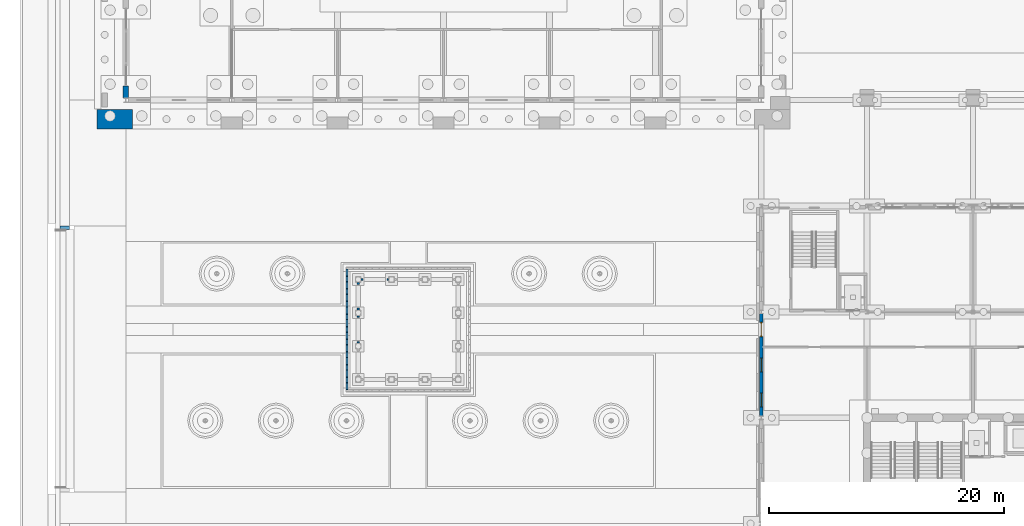
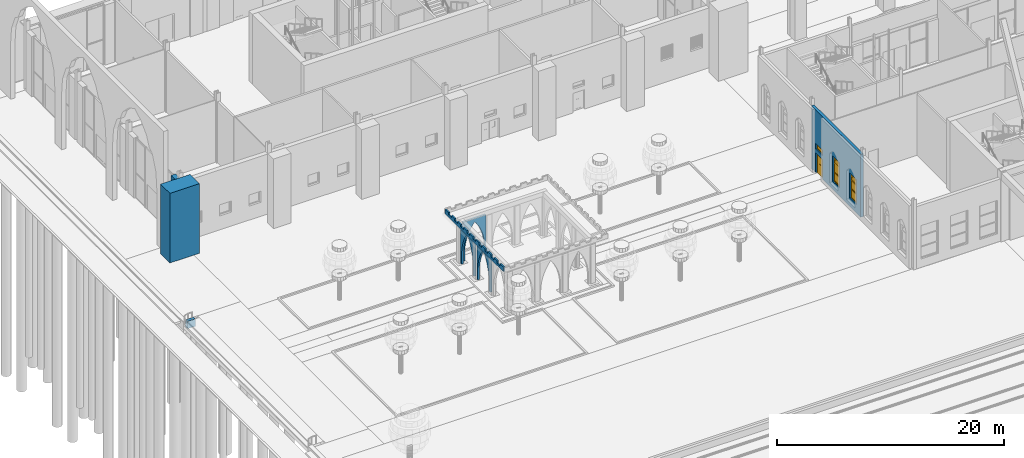
# One storey, part 101 of 250: 8 walls, 3 windows, 1 door, 4 openings.
"""IFC4 building model written with IfcOpenShell, lengths in metres."""

from ifc_helpers import new_model, si_unit, direction, frame, frame_2d, origin, place, context, subcontext, project, spatial, polyline, rectangle, outline, extrude, material, layer, layer_set, type_object, element, fill, save


model = new_model("IFC4")

# Units and contexts
model_context = context("Model", 3, precision=1e-05, world=origin(), true_north=direction((0.0, 1.0)))
body_context = subcontext(model_context, "Body", "Model", "MODEL_VIEW")
ifc_project = project(units=[si_unit("LENGTHUNIT", "METRE"), si_unit("AREAUNIT", "SQUARE_METRE"), si_unit("VOLUMEUNIT", "CUBIC_METRE"), si_unit("PLANEANGLEUNIT", "RADIAN"), si_unit("MASSUNIT", "GRAM", prefix="KILO")], contexts=[model_context])

# Site, building, storey
site_placement = place(None, origin())
site = spatial("IfcSite", under=ifc_project, at=site_placement, CompositionType="ELEMENT")
building_placement = place(site_placement, origin())
building = spatial("IfcBuilding", under=site, at=building_placement, Name="Baradari Gate Terminus", CompositionType="ELEMENT")
storey_placement = place(building_placement, origin())
storey = spatial("IfcBuildingStorey", under=building, at=storey_placement, Name="L00", CompositionType="ELEMENT", Elevation=0.0)

# Walls
ifc_material_1 = material(Name="Precast concrete C40/50", Category="concrete")
ifc_layer_1 = layer(ifc_material_1, 0.199951171875)
ifc_layer_set_1 = layer_set([ifc_layer_1], Name="Precast concrete C40/50")
wall_type_1 = type_object("IfcWallType", Name="Court pavilion arched spandrel wall CPA-1 200", PredefinedType="SOLIDWALL", material=ifc_layer_set_1)
for number, where, z_axis, x_axis, name in (
    (1, (31.333251953125, 101.75, 0.14990234375), (0.0, 0.0, 1.0), (-1.0, 0.0, 0.0), "Court pavilion arched wall 9"),
    (2, (28.75, 101.5, 0.14990234375), (0.0, 0.0, 1.0), (0.0, -1.0, 0.0), "Court pavilion arched wall 10"),
    (3, (28.75, 98.666748046875, 0.14990234375), (0.0, 0.0, 1.0), (0.0, -1.0, 0.0), "Court pavilion arched wall 11"),
):
    element("IfcWall", number, at=place(storey_placement, frame(where, z_axis=z_axis, x_axis=x_axis)), inside=storey, type_object=wall_type_1, Name=name, PredefinedType="SOLIDWALL", context=body_context, shape_type="SweptSolid", body=[
        extrude(outline(polyline([(0.14990234375, 0.0), (0.14990234375, 0.900146484375), (0.1572265625, 1.164794921875), (0.17919921875, 1.4287109375), (0.2158203125, 1.69091796875), (0.2666015625, 1.950927734375), (0.33203125, 2.20751953125), (0.411376953125, 2.460205078125), (0.50439453125, 2.7080078125), (0.611083984375, 2.950439453125), (0.731201171875, 3.1865234375), (0.864013671875, 3.415771484375), (1.00927734375, 3.63720703125), (1.166748046875, 3.85009765625), (1.323974609375, 3.63720703125), (1.46923828125, 3.415771484375), (1.60205078125, 3.1865234375), (1.72216796875, 2.950439453125), (1.828857421875, 2.7080078125), (1.922119140625, 2.460205078125), (2.00146484375, 2.20751953125), (2.066650390625, 1.950927734375), (2.11767578125, 1.69091796875), (2.154052734375, 1.4287109375), (2.176025390625, 1.164794921875), (2.183349609375, 0.900146484375), (2.183349609375, 0.0), (2.333251953125, 0.0), (2.333251953125, 4.2001953125), (0.0, 4.2001953125), (0.0, 0.0), (0.14990234375, 0.0)])), frame((0.0, 0.10009765625, 0.0), z_axis=(0.0, -1.0, 0.0), x_axis=(1.0, 0.0, 0.0)), (0.0, 0.0, 1.0), 0.199951171875),
    ])
ifc_material_2 = material(Name="Precast concrete C40/50", Category="concrete")
ifc_layer_2 = layer(ifc_material_2, 0.14990234375)
ifc_layer_set_2 = layer_set([ifc_layer_2], Name="Precast concrete C40/50")
wall_type_2 = type_object("IfcWallType", Name="Court pavilion merlon upstand CPU-1 150", PredefinedType="SOLIDWALL", material=ifc_layer_set_2)
wall_1_placement = place(storey_placement, frame((27.794921875, 102.6298828125, 5.10009765625), z_axis=(0.0, 0.0, 1.0), x_axis=(0.0, -1.0, 0.0)))
element("IfcWall", 4, at=wall_1_placement, inside=storey, type_object=wall_type_2, Name="Court pavilion merlon upstand 4", PredefinedType="SOLIDWALL", context=body_context, shape_type="SweptSolid", body=[
    extrude(outline(polyline([(0.0, 0.0), (10.260009765625, 0.0), (10.260009765625, 0.5), (9.659912109375, 0.5), (9.659912109375, 0.25), (9.186767578125, 0.25), (9.186767578125, 0.5), (8.586669921875, 0.5), (8.586669921875, 0.25), (8.11328125, 0.25), (8.11328125, 0.5), (7.51318359375, 0.5), (7.51318359375, 0.25), (7.0400390625, 0.25), (7.0400390625, 0.5), (6.43994140625, 0.5), (6.43994140625, 0.25), (5.966796875, 0.25), (5.966796875, 0.5), (5.36669921875, 0.5), (5.36669921875, 0.25), (4.893310546875, 0.25), (4.893310546875, 0.5), (4.293212890625, 0.5), (4.293212890625, 0.25), (3.820068359375, 0.25), (3.820068359375, 0.5), (3.219970703125, 0.5), (3.219970703125, 0.25), (2.74658203125, 0.25), (2.74658203125, 0.5), (2.146728515625, 0.5), (2.146728515625, 0.25), (1.67333984375, 0.25), (1.67333984375, 0.5), (1.0732421875, 0.5), (1.0732421875, 0.25), (0.60009765625, 0.25), (0.60009765625, 0.5), (0.0, 0.5), (0.0, 0.0)])), frame((0.0, 0.074951171875, 0.0), z_axis=(0.0, -1.0, 0.0), x_axis=(1.0, 0.0, 0.0)), (0.0, 0.0, 1.0), 0.14990234375),
])

# Wall, openings, windows, door
ifc_material_3 = material(Name="Concrete C40/50 precast", Category="concrete")
ifc_layer_3 = layer(ifc_material_3, 0.23)
ifc_material_4 = material(Name="Reconstituted stone", Category="masonry")
ifc_layer_4 = layer(ifc_material_4, 0.05)
ifc_layer_set_3 = layer_set([ifc_layer_3, ifc_layer_4], Name="Concrete C40/50 precast")
wall_type_3 = type_object("IfcWallType", Name="End wall WE-1 280", PredefinedType="SOLIDWALL", material=ifc_layer_set_3)
wall_2_placement = place(storey_placement, frame((63.0, 90.1572265625, 0.0), z_axis=(0.0, 0.0, 1.0), x_axis=(0.0, 1.0, 0.0)))
wall_2 = element("IfcWall", 5, at=wall_2_placement, inside=storey, type_object=wall_type_3, Name="court end HW bay 11 L00", PredefinedType="SOLIDWALL", context=body_context, shape_type="SweptSolid", body=[
    extrude(rectangle(XDim=8.685546875, YDim=0.280029296875, at=frame_2d((4.3427734375, 0.0))), origin(), (0.0, 0.0, 1.0), 6.767333984375),
])
opening_1_placement = place(wall_2_placement, frame((6.74267578125, 0.0, 0.0)))
opening_1 = element("IfcOpeningElement", 6, at=opening_1_placement, cuts=wall_2, Name="Opening D00-012", PredefinedType="OPENING", context=body_context, shape_type="SweptSolid", body=[
    extrude(rectangle(XDim=1.199951171875, YDim=2.10009765625, at=frame_2d((0.60009765625, 1.050048828125))), frame((0.0, 0.14990234375, 0.0), z_axis=(0.0, -1.0, 0.0), x_axis=(1.0, 0.0, 0.0)), (0.0, 0.0, 1.0), 0.300048828125),
])
opening_2_placement = place(wall_2_placement, frame((6.74267578125, 0.0, 2.550048828125)))
opening_2 = element("IfcOpeningElement", 7, at=opening_2_placement, cuts=wall_2, Name="Opening W10", PredefinedType="OPENING", context=body_context, shape_type="SweptSolid", body=[
    extrude(rectangle(XDim=1.199951171875, YDim=0.60009765625, at=frame_2d((0.60009765625, 0.300048828125))), frame((0.0, 0.14990234375, 0.0), z_axis=(0.0, -1.0, 0.0), x_axis=(1.0, 0.0, 0.0)), (0.0, 0.0, 1.0), 0.300048828125),
])
opening_3_placement = place(wall_2_placement, frame((0.74267578125, 0.0, 0.89990234375)))
opening_3 = element("IfcOpeningElement", 8, at=opening_3_placement, cuts=wall_2, Name="Opening W7", PredefinedType="OPENING", context=body_context, shape_type="SweptSolid", body=[
    extrude(rectangle(XDim=1.199951171875, YDim=2.699951171875, at=frame_2d((0.60009765625, 1.35009765625))), frame((0.0, 0.14990234375, 0.0), z_axis=(0.0, -1.0, 0.0), x_axis=(1.0, 0.0, 0.0)), (0.0, 0.0, 1.0), 0.300048828125),
])
opening_4_placement = place(wall_2_placement, frame((3.74267578125, 0.0, 0.89990234375)))
opening_4 = element("IfcOpeningElement", 9, at=opening_4_placement, cuts=wall_2, Name="Opening W7", PredefinedType="OPENING", context=body_context, shape_type="SweptSolid", body=[
    extrude(rectangle(XDim=1.199951171875, YDim=2.699951171875, at=frame_2d((0.60009765625, 1.35009765625))), frame((0.0, 0.14990234375, 0.0), z_axis=(0.0, -1.0, 0.0), x_axis=(1.0, 0.0, 0.0)), (0.0, 0.0, 1.0), 0.300048828125),
])
ifc_material_5 = material(Name="Aluminium 6063-T6", Category="aluminium")
window_type_1 = type_object("IfcWindowType", Name="Door fanlight W10 1200x600", PartitioningType="SINGLE_PANEL", PredefinedType="WINDOW", material=ifc_material_5)
window_1_placement = place(opening_2_placement, origin())
window_1 = element("IfcWindow", 10, at=window_1_placement, inside=storey, type_object=window_type_1, Name="Fanlight over Corridor (Service Corridor West)", OverallHeight=0.6, OverallWidth=1.2, PartitioningType="SINGLE_PANEL", PredefinedType="WINDOW", context=body_context, shape_type="SweptSolid", body=[
    extrude(outline(polyline([(0.0, 0.0), (1.199951171875, 0.0), (1.199951171875, 0.60009765625), (0.0, 0.60009765625), (0.0, 0.0)]), holes=[polyline([(0.070068359375, 0.070068359375), (1.1298828125, 0.070068359375), (1.1298828125, 0.530029296875), (0.070068359375, 0.530029296875), (0.070068359375, 0.070068359375)])]), frame((0.0, 0.030029296875, 0.0), z_axis=(0.0, -1.0, 0.0), x_axis=(1.0, 0.0, 0.0)), (0.0, 0.0, 1.0), 0.06005859375),
    extrude(outline(polyline([(0.070068359375, 0.070068359375), (1.1298828125, 0.070068359375), (1.1298828125, 0.530029296875), (0.070068359375, 0.530029296875), (0.070068359375, 0.070068359375)]), holes=[polyline([(0.10009765625, 0.10009765625), (1.099853515625, 0.10009765625), (1.099853515625, 0.5), (0.10009765625, 0.5), (0.10009765625, 0.10009765625)])]), frame((0.0, 0.0224609375, 0.0), z_axis=(0.0, -1.0, 0.0), x_axis=(1.0, 0.0, 0.0)), (0.0, 0.0, 1.0), 0.044921875),
    extrude(rectangle(XDim=0.999755859375, YDim=0.39990234375, at=frame_2d((0.60009765625, 0.300048828125))), frame((0.0, 0.006103515625, 0.0), z_axis=(0.0, -1.0, 0.0), x_axis=(1.0, 0.0, 0.0)), (0.0, 0.0, 1.0), 0.01220703125),
])
fill(opening_2, window_1)
ifc_material_6 = material(Name="Steel S235", Category="steel")
door_type = type_object("IfcDoorType", Name="Fire door, steel DT-9 1200x2100", OperationType="SINGLE_SWING_RIGHT", PredefinedType="DOOR", material=ifc_material_6)
door_placement = place(opening_1_placement, origin())
door = element("IfcDoor", 11, at=door_placement, inside=storey, type_object=door_type, Name="Exit door Corridor (Service Corridor West)", OperationType="SINGLE_SWING_RIGHT", OverallHeight=2.1, OverallWidth=1.2, PredefinedType="DOOR", context=body_context, shape_type="SweptSolid", body=[
    extrude(outline(polyline([(0.0, 0.0), (0.070068359375, 0.0), (0.070068359375, 2.030029296875), (1.1298828125, 2.030029296875), (1.1298828125, 0.0), (1.199951171875, 0.0), (1.199951171875, 2.10009765625), (0.0, 2.10009765625), (0.0, 0.0)])), frame((0.0, 0.02490234375, 0.0), z_axis=(0.0, -1.0, 0.0), x_axis=(1.0, 0.0, 0.0)), (0.0, 0.0, 1.0), 0.050048828125),
    extrude(outline(polyline([(0.073974609375, 0.010009765625), (1.1259765625, 0.010009765625), (1.1259765625, 2.026123046875), (0.073974609375, 2.026123046875), (0.073974609375, 0.010009765625)]), holes=[polyline([(0.194091796875, 0.159912109375), (1.005859375, 0.159912109375), (1.005859375, 1.010009765625), (0.194091796875, 1.010009765625), (0.194091796875, 0.159912109375)]), polyline([(0.449951171875, 1.159912109375), (0.75, 1.159912109375), (0.75, 1.760009765625), (0.449951171875, 1.760009765625), (0.449951171875, 1.159912109375)])]), frame((0.0, 0.017333984375, 0.0), z_axis=(0.0, -1.0, 0.0), x_axis=(1.0, 0.0, 0.0)), (0.0, 0.0, 1.0), 0.034912109375),
    extrude(rectangle(XDim=0.811767578125, YDim=0.85009765625, at=frame_2d((0.60009765625, 0.5849609375))), frame((0.0, 0.008544921875, 0.0), z_axis=(0.0, -1.0, 0.0), x_axis=(1.0, 0.0, 0.0)), (0.0, 0.0, 1.0), 0.017333984375),
    extrude(rectangle(XDim=0.300048828125, YDim=0.60009765625, at=frame_2d((0.60009765625, 1.4599609375))), frame((0.0, 0.005859375, 0.0), z_axis=(0.0, -1.0, 0.0), x_axis=(1.0, 0.0, 0.0)), (0.0, 0.0, 1.0), 0.011962890625),
])
fill(opening_1, door)
ifc_material_7 = material(Name="Aluminium 6063-T6", Category="aluminium")
window_type_2 = type_object("IfcWindowType", Name="Service block window W7 1200x2700", PartitioningType="DOUBLE_PANEL_HORIZONTAL", PredefinedType="WINDOW", material=ifc_material_7)
window_2_placement = place(opening_3_placement, origin())
window_2 = element("IfcWindow", 12, at=window_2_placement, inside=storey, type_object=window_type_2, Name="Window W7 HW/10", OverallHeight=2.7, OverallWidth=1.2, PartitioningType="DOUBLE_PANEL_HORIZONTAL", PredefinedType="WINDOW", context=body_context, shape_type="SweptSolid", body=[
    extrude(outline(polyline([(0.0, 0.0), (1.199951171875, 0.0), (1.199951171875, 1.969970703125), (1.195068359375, 2.05517578125), (1.180419921875, 2.13916015625), (1.15625, 2.220947265625), (1.123046875, 2.29931640625), (1.0810546875, 2.37353515625), (1.03076171875, 2.4423828125), (0.972900390625, 2.505126953125), (0.908203125, 2.560791015625), (0.837646484375, 2.608642578125), (0.76220703125, 2.648193359375), (0.6826171875, 2.6787109375), (0.599853515625, 2.699951171875), (0.517333984375, 2.6787109375), (0.437744140625, 2.648193359375), (0.3623046875, 2.608642578125), (0.291748046875, 2.560791015625), (0.22705078125, 2.505126953125), (0.169189453125, 2.4423828125), (0.118896484375, 2.37353515625), (0.076904296875, 2.29931640625), (0.043701171875, 2.220947265625), (0.01953125, 2.13916015625), (0.0048828125, 2.05517578125), (0.0, 1.969970703125), (0.0, 0.0)]), holes=[polyline([(0.070068359375, 0.070068359375), (1.1298828125, 0.070068359375), (1.1298828125, 1.969970703125), (1.12548828125, 2.0458984375), (1.11279296875, 2.12109375), (1.091552734375, 2.1943359375), (1.062255859375, 2.2646484375), (1.025390625, 2.3310546875), (0.98095703125, 2.39306640625), (0.929931640625, 2.44970703125), (0.873046875, 2.500244140625), (0.810791015625, 2.5439453125), (0.743896484375, 2.58056640625), (0.67333984375, 2.609375), (0.60009765625, 2.6298828125), (0.526611328125, 2.609375), (0.4560546875, 2.58056640625), (0.38916015625, 2.5439453125), (0.326904296875, 2.500244140625), (0.27001953125, 2.44970703125), (0.218994140625, 2.39306640625), (0.174560546875, 2.3310546875), (0.1376953125, 2.2646484375), (0.1083984375, 2.1943359375), (0.087158203125, 2.12109375), (0.074462890625, 2.0458984375), (0.070068359375, 1.969970703125), (0.070068359375, 0.070068359375)])]), frame((0.0, 0.030029296875, 0.0), z_axis=(0.0, -1.0, 0.0), x_axis=(1.0, 0.0, 0.0)), (0.0, 0.0, 1.0), 0.06005859375),
    extrude(outline(polyline([(0.0, 1.969970703125), (0.0048828125, 2.05517578125), (0.01953125, 2.13916015625), (0.043701171875, 2.220947265625), (0.076904296875, 2.29931640625), (0.118896484375, 2.37353515625), (0.169189453125, 2.4423828125), (0.22705078125, 2.505126953125), (0.291748046875, 2.560791015625), (0.3623046875, 2.608642578125), (0.437744140625, 2.648193359375), (0.517333984375, 2.6787109375), (0.599853515625, 2.699951171875), (0.0, 2.699951171875), (0.0, 1.969970703125)])), frame((0.0, 0.028076171875, 0.0), z_axis=(0.0, -1.0, 0.0), x_axis=(1.0, 0.0, 0.0)), (0.0, 0.0, 1.0), 0.05615234375),
    extrude(outline(polyline([(0.599853515625, 2.699951171875), (0.6826171875, 2.6787109375), (0.76220703125, 2.648193359375), (0.837646484375, 2.608642578125), (0.908203125, 2.560791015625), (0.972900390625, 2.505126953125), (1.03076171875, 2.4423828125), (1.0810546875, 2.37353515625), (1.123046875, 2.29931640625), (1.15625, 2.220947265625), (1.180419921875, 2.13916015625), (1.195068359375, 2.05517578125), (1.199951171875, 1.969970703125), (1.199951171875, 2.699951171875), (0.599853515625, 2.699951171875)])), frame((0.0, 0.027099609375, 0.0), z_axis=(0.0, -1.0, 0.0), x_axis=(1.0, 0.0, 0.0)), (0.0, 0.0, 1.0), 0.05419921875),
    extrude(outline(polyline([(1.127685546875, 2.010009765625), (0.072265625, 2.010009765625), (0.070068359375, 1.969970703125), (0.070068359375, 1.929931640625), (1.1298828125, 1.929931640625), (1.1298828125, 1.969970703125), (1.127685546875, 2.010009765625)])), frame((0.0, 0.02099609375, 0.0), z_axis=(0.0, -1.0, 0.0), x_axis=(1.0, 0.0, 0.0)), (0.0, 0.0, 1.0), 0.0419921875),
    extrude(rectangle(XDim=1.059814453125, YDim=0.0400390625, at=frame_2d((0.60009765625, 1.0))), frame((0.0, 0.021484375, 0.0), z_axis=(0.0, -1.0, 0.0), x_axis=(1.0, 0.0, 0.0)), (0.0, 0.0, 1.0), 0.04296875),
    extrude(outline(polyline([(0.070068359375, 0.070068359375), (1.1298828125, 0.070068359375), (1.1298828125, 0.97998046875), (0.070068359375, 0.97998046875), (0.070068359375, 0.070068359375)]), holes=[polyline([(0.10009765625, 0.10009765625), (1.099853515625, 0.10009765625), (1.099853515625, 0.949951171875), (0.10009765625, 0.949951171875), (0.10009765625, 0.10009765625)])]), frame((0.0, 0.0224609375, 0.0), z_axis=(0.0, -1.0, 0.0), x_axis=(1.0, 0.0, 0.0)), (0.0, 0.0, 1.0), 0.044921875),
    extrude(rectangle(XDim=0.999755859375, YDim=0.849853515625, at=frame_2d((0.60009765625, 0.52490234375))), frame((0.0, 0.006103515625, 0.0), z_axis=(0.0, -1.0, 0.0), x_axis=(1.0, 0.0, 0.0)), (0.0, 0.0, 1.0), 0.01220703125),
    extrude(outline(polyline([(0.070068359375, 1.02001953125), (1.1298828125, 1.02001953125), (1.1298828125, 1.929931640625), (0.070068359375, 1.929931640625), (0.070068359375, 1.02001953125)]), holes=[polyline([(0.10009765625, 1.050048828125), (1.099853515625, 1.050048828125), (1.099853515625, 1.89990234375), (0.10009765625, 1.89990234375), (0.10009765625, 1.050048828125)])]), frame((0.0, 0.0224609375, 0.0), z_axis=(0.0, -1.0, 0.0), x_axis=(1.0, 0.0, 0.0)), (0.0, 0.0, 1.0), 0.044921875),
    extrude(rectangle(XDim=0.999755859375, YDim=0.849853515625, at=frame_2d((0.60009765625, 1.47509765625))), frame((0.0, 0.006103515625, 0.0), z_axis=(0.0, -1.0, 0.0), x_axis=(1.0, 0.0, 0.0)), (0.0, 0.0, 1.0), 0.01220703125),
    extrude(outline(polyline([(0.072265625, 2.010009765625), (1.127685546875, 2.010009765625), (1.12548828125, 2.0458984375), (1.11279296875, 2.12109375), (1.091552734375, 2.1943359375), (1.062255859375, 2.2646484375), (1.025390625, 2.3310546875), (0.98095703125, 2.39306640625), (0.929931640625, 2.44970703125), (0.873046875, 2.500244140625), (0.810791015625, 2.5439453125), (0.743896484375, 2.58056640625), (0.67333984375, 2.609375), (0.60009765625, 2.6298828125), (0.526611328125, 2.609375), (0.4560546875, 2.58056640625), (0.38916015625, 2.5439453125), (0.326904296875, 2.500244140625), (0.27001953125, 2.44970703125), (0.218994140625, 2.39306640625), (0.174560546875, 2.3310546875), (0.1376953125, 2.2646484375), (0.1083984375, 2.1943359375), (0.087158203125, 2.12109375), (0.074462890625, 2.0458984375), (0.072265625, 2.010009765625)]), holes=[polyline([(0.10986328125, 2.044921875), (0.121337890625, 2.11328125), (0.141357421875, 2.1826171875), (0.169189453125, 2.249267578125), (0.2041015625, 2.312255859375), (0.246337890625, 2.37109375), (0.294677734375, 2.4248046875), (0.3486328125, 2.47265625), (0.40771484375, 2.51416015625), (0.47119140625, 2.548828125), (0.5380859375, 2.576171875), (0.60009765625, 2.593505859375), (0.661865234375, 2.576171875), (0.728759765625, 2.548828125), (0.792236328125, 2.51416015625), (0.851318359375, 2.47265625), (0.9052734375, 2.4248046875), (0.95361328125, 2.37109375), (0.995849609375, 2.312255859375), (1.03076171875, 2.249267578125), (1.05859375, 2.1826171875), (1.07861328125, 2.11328125), (1.090087890625, 2.044921875), (0.10986328125, 2.044921875)])]), frame((0.0, 0.0224609375, 0.0), z_axis=(0.0, -1.0, 0.0), x_axis=(1.0, 0.0, 0.0)), (0.0, 0.0, 1.0), 0.044921875),
    extrude(outline(polyline([(1.090087890625, 2.044921875), (1.07861328125, 2.11328125), (1.05859375, 2.1826171875), (1.03076171875, 2.249267578125), (0.995849609375, 2.312255859375), (0.95361328125, 2.37109375), (0.9052734375, 2.4248046875), (0.851318359375, 2.47265625), (0.792236328125, 2.51416015625), (0.728759765625, 2.548828125), (0.661865234375, 2.576171875), (0.60009765625, 2.593505859375), (0.5380859375, 2.576171875), (0.47119140625, 2.548828125), (0.40771484375, 2.51416015625), (0.3486328125, 2.47265625), (0.294677734375, 2.4248046875), (0.246337890625, 2.37109375), (0.2041015625, 2.312255859375), (0.169189453125, 2.249267578125), (0.141357421875, 2.1826171875), (0.121337890625, 2.11328125), (0.10986328125, 2.044921875), (1.090087890625, 2.044921875)])), frame((0.0, 0.006103515625, 0.0), z_axis=(0.0, -1.0, 0.0), x_axis=(1.0, 0.0, 0.0)), (0.0, 0.0, 1.0), 0.01220703125),
])
fill(opening_3, window_2)
window_3_placement = place(opening_4_placement, origin())
window_3 = element("IfcWindow", 13, at=window_3_placement, inside=storey, type_object=window_type_2, Name="Window W7 HW/10", OverallHeight=2.7, OverallWidth=1.2, PartitioningType="DOUBLE_PANEL_HORIZONTAL", PredefinedType="WINDOW", context=body_context, shape_type="SweptSolid", body=[
    extrude(outline(polyline([(0.0, 0.0), (1.199951171875, 0.0), (1.199951171875, 1.969970703125), (1.195068359375, 2.05517578125), (1.180419921875, 2.13916015625), (1.15625, 2.220947265625), (1.123046875, 2.29931640625), (1.0810546875, 2.37353515625), (1.03076171875, 2.4423828125), (0.972900390625, 2.505126953125), (0.908203125, 2.560791015625), (0.837646484375, 2.608642578125), (0.76220703125, 2.648193359375), (0.6826171875, 2.6787109375), (0.599853515625, 2.699951171875), (0.517333984375, 2.6787109375), (0.437744140625, 2.648193359375), (0.3623046875, 2.608642578125), (0.291748046875, 2.560791015625), (0.22705078125, 2.505126953125), (0.169189453125, 2.4423828125), (0.118896484375, 2.37353515625), (0.076904296875, 2.29931640625), (0.043701171875, 2.220947265625), (0.01953125, 2.13916015625), (0.0048828125, 2.05517578125), (0.0, 1.969970703125), (0.0, 0.0)]), holes=[polyline([(0.070068359375, 0.070068359375), (1.1298828125, 0.070068359375), (1.1298828125, 1.969970703125), (1.12548828125, 2.0458984375), (1.11279296875, 2.12109375), (1.091552734375, 2.1943359375), (1.062255859375, 2.2646484375), (1.025390625, 2.3310546875), (0.98095703125, 2.39306640625), (0.929931640625, 2.44970703125), (0.873046875, 2.500244140625), (0.810791015625, 2.5439453125), (0.743896484375, 2.58056640625), (0.67333984375, 2.609375), (0.60009765625, 2.6298828125), (0.526611328125, 2.609375), (0.4560546875, 2.58056640625), (0.38916015625, 2.5439453125), (0.326904296875, 2.500244140625), (0.27001953125, 2.44970703125), (0.218994140625, 2.39306640625), (0.174560546875, 2.3310546875), (0.1376953125, 2.2646484375), (0.1083984375, 2.1943359375), (0.087158203125, 2.12109375), (0.074462890625, 2.0458984375), (0.070068359375, 1.969970703125), (0.070068359375, 0.070068359375)])]), frame((0.0, 0.030029296875, 0.0), z_axis=(0.0, -1.0, 0.0), x_axis=(1.0, 0.0, 0.0)), (0.0, 0.0, 1.0), 0.06005859375),
    extrude(outline(polyline([(0.0, 1.969970703125), (0.0048828125, 2.05517578125), (0.01953125, 2.13916015625), (0.043701171875, 2.220947265625), (0.076904296875, 2.29931640625), (0.118896484375, 2.37353515625), (0.169189453125, 2.4423828125), (0.22705078125, 2.505126953125), (0.291748046875, 2.560791015625), (0.3623046875, 2.608642578125), (0.437744140625, 2.648193359375), (0.517333984375, 2.6787109375), (0.599853515625, 2.699951171875), (0.0, 2.699951171875), (0.0, 1.969970703125)])), frame((0.0, 0.028076171875, 0.0), z_axis=(0.0, -1.0, 0.0), x_axis=(1.0, 0.0, 0.0)), (0.0, 0.0, 1.0), 0.05615234375),
    extrude(outline(polyline([(0.599853515625, 2.699951171875), (0.6826171875, 2.6787109375), (0.76220703125, 2.648193359375), (0.837646484375, 2.608642578125), (0.908203125, 2.560791015625), (0.972900390625, 2.505126953125), (1.03076171875, 2.4423828125), (1.0810546875, 2.37353515625), (1.123046875, 2.29931640625), (1.15625, 2.220947265625), (1.180419921875, 2.13916015625), (1.195068359375, 2.05517578125), (1.199951171875, 1.969970703125), (1.199951171875, 2.699951171875), (0.599853515625, 2.699951171875)])), frame((0.0, 0.027099609375, 0.0), z_axis=(0.0, -1.0, 0.0), x_axis=(1.0, 0.0, 0.0)), (0.0, 0.0, 1.0), 0.05419921875),
    extrude(outline(polyline([(1.127685546875, 2.010009765625), (0.072265625, 2.010009765625), (0.070068359375, 1.969970703125), (0.070068359375, 1.929931640625), (1.1298828125, 1.929931640625), (1.1298828125, 1.969970703125), (1.127685546875, 2.010009765625)])), frame((0.0, 0.02099609375, 0.0), z_axis=(0.0, -1.0, 0.0), x_axis=(1.0, 0.0, 0.0)), (0.0, 0.0, 1.0), 0.0419921875),
    extrude(rectangle(XDim=1.059814453125, YDim=0.0400390625, at=frame_2d((0.60009765625, 1.0))), frame((0.0, 0.021484375, 0.0), z_axis=(0.0, -1.0, 0.0), x_axis=(1.0, 0.0, 0.0)), (0.0, 0.0, 1.0), 0.04296875),
    extrude(outline(polyline([(0.070068359375, 0.070068359375), (1.1298828125, 0.070068359375), (1.1298828125, 0.97998046875), (0.070068359375, 0.97998046875), (0.070068359375, 0.070068359375)]), holes=[polyline([(0.10009765625, 0.10009765625), (1.099853515625, 0.10009765625), (1.099853515625, 0.949951171875), (0.10009765625, 0.949951171875), (0.10009765625, 0.10009765625)])]), frame((0.0, 0.0224609375, 0.0), z_axis=(0.0, -1.0, 0.0), x_axis=(1.0, 0.0, 0.0)), (0.0, 0.0, 1.0), 0.044921875),
    extrude(rectangle(XDim=0.999755859375, YDim=0.849853515625, at=frame_2d((0.60009765625, 0.52490234375))), frame((0.0, 0.006103515625, 0.0), z_axis=(0.0, -1.0, 0.0), x_axis=(1.0, 0.0, 0.0)), (0.0, 0.0, 1.0), 0.01220703125),
    extrude(outline(polyline([(0.070068359375, 1.02001953125), (1.1298828125, 1.02001953125), (1.1298828125, 1.929931640625), (0.070068359375, 1.929931640625), (0.070068359375, 1.02001953125)]), holes=[polyline([(0.10009765625, 1.050048828125), (1.099853515625, 1.050048828125), (1.099853515625, 1.89990234375), (0.10009765625, 1.89990234375), (0.10009765625, 1.050048828125)])]), frame((0.0, 0.0224609375, 0.0), z_axis=(0.0, -1.0, 0.0), x_axis=(1.0, 0.0, 0.0)), (0.0, 0.0, 1.0), 0.044921875),
    extrude(rectangle(XDim=0.999755859375, YDim=0.849853515625, at=frame_2d((0.60009765625, 1.47509765625))), frame((0.0, 0.006103515625, 0.0), z_axis=(0.0, -1.0, 0.0), x_axis=(1.0, 0.0, 0.0)), (0.0, 0.0, 1.0), 0.01220703125),
    extrude(outline(polyline([(0.072265625, 2.010009765625), (1.127685546875, 2.010009765625), (1.12548828125, 2.0458984375), (1.11279296875, 2.12109375), (1.091552734375, 2.1943359375), (1.062255859375, 2.2646484375), (1.025390625, 2.3310546875), (0.98095703125, 2.39306640625), (0.929931640625, 2.44970703125), (0.873046875, 2.500244140625), (0.810791015625, 2.5439453125), (0.743896484375, 2.58056640625), (0.67333984375, 2.609375), (0.60009765625, 2.6298828125), (0.526611328125, 2.609375), (0.4560546875, 2.58056640625), (0.38916015625, 2.5439453125), (0.326904296875, 2.500244140625), (0.27001953125, 2.44970703125), (0.218994140625, 2.39306640625), (0.174560546875, 2.3310546875), (0.1376953125, 2.2646484375), (0.1083984375, 2.1943359375), (0.087158203125, 2.12109375), (0.074462890625, 2.0458984375), (0.072265625, 2.010009765625)]), holes=[polyline([(0.10986328125, 2.044921875), (0.121337890625, 2.11328125), (0.141357421875, 2.1826171875), (0.169189453125, 2.249267578125), (0.2041015625, 2.312255859375), (0.246337890625, 2.37109375), (0.294677734375, 2.4248046875), (0.3486328125, 2.47265625), (0.40771484375, 2.51416015625), (0.47119140625, 2.548828125), (0.5380859375, 2.576171875), (0.60009765625, 2.593505859375), (0.661865234375, 2.576171875), (0.728759765625, 2.548828125), (0.792236328125, 2.51416015625), (0.851318359375, 2.47265625), (0.9052734375, 2.4248046875), (0.95361328125, 2.37109375), (0.995849609375, 2.312255859375), (1.03076171875, 2.249267578125), (1.05859375, 2.1826171875), (1.07861328125, 2.11328125), (1.090087890625, 2.044921875), (0.10986328125, 2.044921875)])]), frame((0.0, 0.0224609375, 0.0), z_axis=(0.0, -1.0, 0.0), x_axis=(1.0, 0.0, 0.0)), (0.0, 0.0, 1.0), 0.044921875),
    extrude(outline(polyline([(1.090087890625, 2.044921875), (1.07861328125, 2.11328125), (1.05859375, 2.1826171875), (1.03076171875, 2.249267578125), (0.995849609375, 2.312255859375), (0.95361328125, 2.37109375), (0.9052734375, 2.4248046875), (0.851318359375, 2.47265625), (0.792236328125, 2.51416015625), (0.728759765625, 2.548828125), (0.661865234375, 2.576171875), (0.60009765625, 2.593505859375), (0.5380859375, 2.576171875), (0.47119140625, 2.548828125), (0.40771484375, 2.51416015625), (0.3486328125, 2.47265625), (0.294677734375, 2.4248046875), (0.246337890625, 2.37109375), (0.2041015625, 2.312255859375), (0.169189453125, 2.249267578125), (0.141357421875, 2.1826171875), (0.121337890625, 2.11328125), (0.10986328125, 2.044921875), (1.090087890625, 2.044921875)])), frame((0.0, 0.006103515625, 0.0), z_axis=(0.0, -1.0, 0.0), x_axis=(1.0, 0.0, 0.0)), (0.0, 0.0, 1.0), 0.01220703125),
])
fill(opening_4, window_3)

# Walls
ifc_material_8 = material(Name="Laterite masonry", Category="masonry")
ifc_layer_5 = layer(ifc_material_8, 0.449951171875)
ifc_layer_set_4 = layer_set([ifc_layer_5], Name="Laterite masonry")
wall_type_4 = type_object("IfcWallType", Name="Laterite masonry pier WC-1 450", PredefinedType="SOLIDWALL", material=ifc_layer_set_4)
wall_3_placement = place(storey_placement, frame((9.0, 117.19677734375, 0.0), z_axis=(0.0, 0.0, 1.0), x_axis=(0.0, 1.0, 0.0)))
element("IfcWall", 14, at=wall_3_placement, inside=storey, type_object=wall_type_4, Name="Stone-clad pier TW bay 13 L00", PredefinedType="SOLIDWALL", context=body_context, shape_type="SweptSolid", body=[
    extrude(rectangle(XDim=1.003173828125, YDim=0.449951171875, at=frame_2d((0.50146484375, 0.0))), origin(), (0.0, 0.0, 1.0), 6.459716796875),
])
ifc_material_9 = material(Name="Sandstone masonry", Category="masonry")
ifc_layer_6 = layer(ifc_material_9, 0.300048828125)
ifc_layer_set_5 = layer_set([ifc_layer_6], Name="Sandstone masonry")
wall_type_5 = type_object("IfcWallType", Name="Retaining cheek wall KW-2 300", PredefinedType="SOLIDWALL", material=ifc_layer_set_5)
wall_4_placement = place(storey_placement, frame((3.39990234375, 106.14990234375, -0.800048828125), z_axis=(0.0, 0.0, 1.0), x_axis=(1.0, 0.0, 0.0)))
element("IfcWall", 15, at=wall_4_placement, inside=storey, type_object=wall_type_5, Name="Return wall West gate b", PredefinedType="SOLIDWALL", context=body_context, shape_type="SweptSolid", body=[
    extrude(rectangle(XDim=0.800048828125, YDim=0.300048828125, at=frame_2d((0.39990234375, 0.0))), origin(), (0.0, 0.0, 1.0), 0.800048828125),
])
ifc_layer_7 = layer(ifc_material_3, 1.55)
ifc_material_10 = material(Name="Sandstone cladding", Category="masonry")
ifc_layer_8 = layer(ifc_material_10, 0.1)
ifc_layer_set_6 = layer_set([ifc_layer_7, ifc_layer_8], Name="Concrete C40/50 precast")
wall_type_6 = type_object("IfcWallType", Name="Sandstone-faced precast frame pier WQ-4 1650", PredefinedType="SOLIDWALL", material=ifc_layer_set_6)
wall_5_placement = place(storey_placement, frame((6.554931640625, 115.3798828125, 0.0), z_axis=(0.0, 0.0, 1.0), x_axis=(1.0, 0.0, 0.0)))
element("IfcWall", 16, at=wall_5_placement, inside=storey, type_object=wall_type_6, Name="Corner pilaster SW leg A L00", PredefinedType="SOLIDWALL", context=body_context, shape_type="SweptSolid", body=[
    extrude(rectangle(XDim=3.0, YDim=1.64990234375, at=frame_2d((1.5, 0.0))), origin(), (0.0, 0.0, 1.0), 7.5),
])

save(model, "model.ifc")
